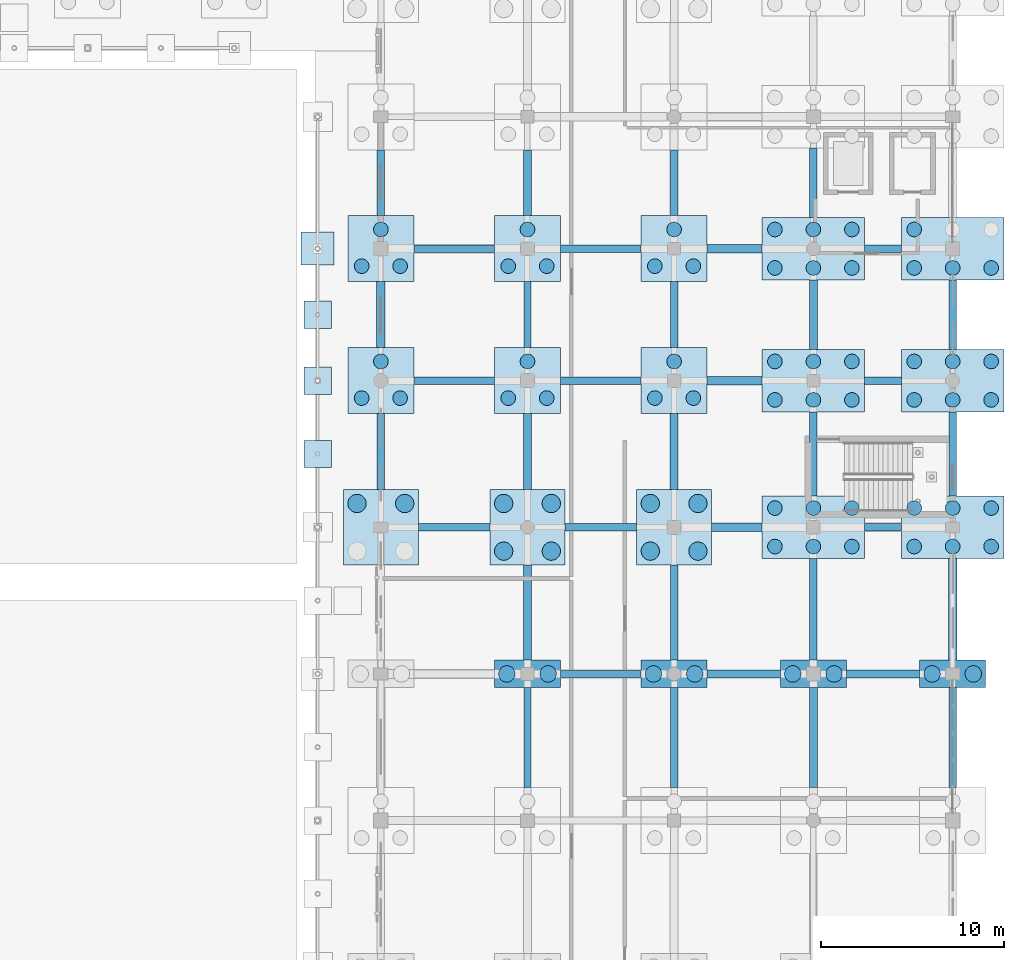
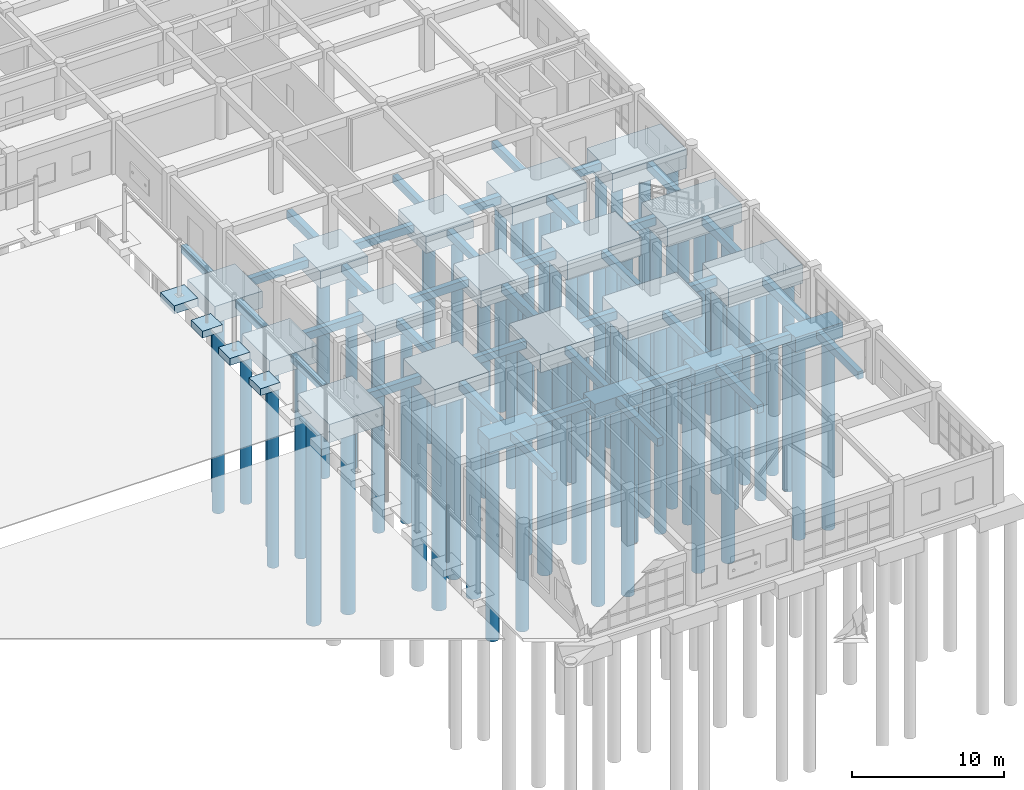
# One storey, part 7 of 166: 70 piles, 60 footings.
"""IFC4 building model written with IfcOpenShell, lengths in metres."""

from ifc_helpers import new_model, si_unit, direction, frame, origin, origin_2d, place, context, subcontext, project, spatial, rectangle, circle, extrude, material, material_profile, profile_set, type_object, element, save


model = new_model("IFC4")

# Units and contexts
model_context = context("Model", 3, precision=1e-05, world=origin(), true_north=direction((0.0, 1.0)))
body_context = subcontext(model_context, "Body", "Model", "MODEL_VIEW")
ifc_project = project(units=[si_unit("LENGTHUNIT", "METRE"), si_unit("AREAUNIT", "SQUARE_METRE"), si_unit("VOLUMEUNIT", "CUBIC_METRE"), si_unit("PLANEANGLEUNIT", "RADIAN"), si_unit("MASSUNIT", "GRAM", prefix="KILO")], contexts=[model_context])

# Site, building, storey
site_placement = place(None, origin())
site = spatial("IfcSite", under=ifc_project, at=site_placement, CompositionType="ELEMENT")
building_placement = place(site_placement, origin())
building = spatial("IfcBuilding", under=site, at=building_placement, Name="Kharva Crest Polytechnic", CompositionType="ELEMENT")
storey_placement = place(building_placement, origin())
storey = spatial("IfcBuildingStorey", under=building, at=storey_placement, Name="L00", CompositionType="ELEMENT", Elevation=0.0)

# Footings
ifc_material = material(Name="Concrete C35/45", Category="concrete")
footing_type_1 = type_object("IfcFootingType", Name="FTG-GB-400X600", PredefinedType="FOOTING_BEAM", material=ifc_material)
footing_1_placement = place(storey_placement, frame((164.800048828125, 62.800048828125, -1.005126953125), z_axis=(0.0, 0.0, 1.0), x_axis=(1.0, 0.0, 0.0)))
element("IfcFooting", 1, at=footing_1_placement, inside=storey, type_object=footing_type_1, Name="L00 Ground Tie Beam J/21-22", PredefinedType="FOOTING_BEAM", context=body_context, shape_type="SweptSolid", body=[
    extrude(rectangle(XDim=4.39990234375, YDim=0.39990234375, at=origin_2d()), origin(), (0.0, 0.0, 1.0), 0.60009765625),
])
footing_2_placement = place(storey_placement, frame((164.800048828125, 70.800048828125, -1.005126953125), z_axis=(0.0, 0.0, 1.0), x_axis=(1.0, 0.0, 0.0)))
element("IfcFooting", 2, at=footing_2_placement, inside=storey, type_object=footing_type_1, Name="L00 Ground Tie Beam K/21-22", PredefinedType="FOOTING_BEAM", context=body_context, shape_type="SweptSolid", body=[
    extrude(rectangle(XDim=3.89990234375, YDim=0.39990234375, at=origin_2d()), origin(), (0.0, 0.0, 1.0), 0.60009765625),
])
for number, where, z_axis, x_axis, name in (
    (3, (164.800048828125, 78.800048828125, -1.005126953125), (0.0, 0.0, 1.0), (1.0, 0.0, 0.0), "L00 Ground Tie Beam L/21-22"),
    (4, (164.800048828125, 86.0, -1.005126953125), (0.0, 0.0, 1.0), (1.0, 0.0, 0.0), "L00 Ground Tie Beam M/21-22"),
):
    element("IfcFooting", number, at=place(storey_placement, frame(where, z_axis=z_axis, x_axis=x_axis)), inside=storey, type_object=footing_type_1, Name=name, PredefinedType="FOOTING_BEAM", context=body_context, shape_type="SweptSolid", body=[
        extrude(rectangle(XDim=4.39990234375, YDim=0.39990234375, at=origin_2d()), origin(), (0.0, 0.0, 1.0), 0.60009765625),
    ])
footing_3_placement = place(storey_placement, frame((152.800048828125, 74.925048828125, -1.005126953125), z_axis=(0.0, 0.0, 1.0), x_axis=(0.0, 1.0, 0.0)))
element("IfcFooting", 5, at=footing_3_placement, inside=storey, type_object=footing_type_1, Name="L00 Ground Tie Beam 20/K-L", PredefinedType="FOOTING_BEAM", context=body_context, shape_type="SweptSolid", body=[
    extrude(rectangle(XDim=4.14990234375, YDim=0.39990234375, at=origin_2d()), origin(), (0.0, 0.0, 1.0), 0.60009765625),
])
footing_4_placement = place(storey_placement, frame((160.800048828125, 59.324951171875, -1.005126953125), z_axis=(0.0, 0.0, 1.0), x_axis=(0.0, 1.0, 0.0)))
element("IfcFooting", 6, at=footing_4_placement, inside=storey, type_object=footing_type_1, Name="L00 Ground Tie Beam 21/H-J", PredefinedType="FOOTING_BEAM", context=body_context, shape_type="SweptSolid", body=[
    extrude(rectangle(XDim=5.449951171875, YDim=0.39990234375, at=origin_2d()), origin(), (0.0, 0.0, 1.0), 0.60009765625),
])
footing_5_placement = place(storey_placement, frame((160.800048828125, 82.39990234375, -1.005126953125), z_axis=(0.0, 0.0, 1.0), x_axis=(0.0, 1.0, 0.0)))
element("IfcFooting", 7, at=footing_5_placement, inside=storey, type_object=footing_type_1, Name="L00 Ground Tie Beam 21/L-M", PredefinedType="FOOTING_BEAM", context=body_context, shape_type="SweptSolid", body=[
    extrude(rectangle(XDim=3.60009765625, YDim=0.39990234375, at=origin_2d()), origin(), (0.0, 0.0, 1.0), 0.60009765625),
])
footing_6_placement = place(storey_placement, frame((168.800048828125, 66.14990234375, -1.005126953125), z_axis=(0.0, 0.0, 1.0), x_axis=(0.0, 1.0, 0.0)))
element("IfcFooting", 8, at=footing_6_placement, inside=storey, type_object=footing_type_1, Name="L00 Ground Tie Beam 22/J-K", PredefinedType="FOOTING_BEAM", context=body_context, shape_type="SweptSolid", body=[
    extrude(rectangle(XDim=5.199951171875, YDim=0.39990234375, at=origin_2d()), origin(), (0.0, 0.0, 1.0), 0.60009765625),
])
footing_7_placement = place(storey_placement, frame((168.800048828125, 89.60009765625, -1.005126953125), z_axis=(0.0, 0.0, 1.0), x_axis=(0.0, 1.0, 0.0)))
element("IfcFooting", 9, at=footing_7_placement, inside=storey, type_object=footing_type_1, Name="L00 Ground Tie Beam 22/M-N", PredefinedType="FOOTING_BEAM", context=body_context, shape_type="SweptSolid", body=[
    extrude(rectangle(XDim=3.60009765625, YDim=0.39990234375, at=origin_2d()), origin(), (0.0, 0.0, 1.0), 0.60009765625),
])
footing_8_placement = place(storey_placement, frame((176.39990234375, 74.800048828125, -1.005126953125), z_axis=(0.0, 0.0, 1.0), x_axis=(0.0, 1.0, 0.0)))
element("IfcFooting", 10, at=footing_8_placement, inside=storey, type_object=footing_type_1, Name="L00 Ground Tie Beam 23/K-L", PredefinedType="FOOTING_BEAM", context=body_context, shape_type="SweptSolid", body=[
    extrude(rectangle(XDim=4.60009765625, YDim=0.39990234375, at=origin_2d()), origin(), (0.0, 0.0, 1.0), 0.60009765625),
])
footing_9_placement = place(storey_placement, frame((184.0, 59.324951171875, -1.005126953125), z_axis=(0.0, 0.0, 1.0), x_axis=(0.0, 1.0, 0.0)))
element("IfcFooting", 11, at=footing_9_placement, inside=storey, type_object=footing_type_1, Name="L00 Ground Tie Beam 24/H-J", PredefinedType="FOOTING_BEAM", context=body_context, shape_type="SweptSolid", body=[
    extrude(rectangle(XDim=5.449951171875, YDim=0.39990234375, at=origin_2d()), origin(), (0.0, 0.0, 1.0), 0.60009765625),
])
footing_10_placement = place(storey_placement, frame((184.0, 82.39990234375, -1.005126953125), z_axis=(0.0, 0.0, 1.0), x_axis=(0.0, 1.0, 0.0)))
element("IfcFooting", 12, at=footing_10_placement, inside=storey, type_object=footing_type_1, Name="L00 Ground Tie Beam 24/L-M", PredefinedType="FOOTING_BEAM", context=body_context, shape_type="SweptSolid", body=[
    extrude(rectangle(XDim=3.800048828125, YDim=0.39990234375, at=origin_2d()), origin(), (0.0, 0.0, 1.0), 0.60009765625),
])
footing_type_2 = type_object("IfcFootingType", Name="FTG-GB-420X620", PredefinedType="FOOTING_BEAM", material=ifc_material)
footing_11_placement = place(storey_placement, frame((180.199951171875, 62.800048828125, -1.025146484375), z_axis=(0.0, 0.0, 1.0), x_axis=(1.0, 0.0, 0.0)))
element("IfcFooting", 13, at=footing_11_placement, inside=storey, type_object=footing_type_2, Name="L00 Ground Tie Beam J/23-24", PredefinedType="FOOTING_BEAM", context=body_context, shape_type="SweptSolid", body=[
    extrude(rectangle(XDim=4.0, YDim=0.419921875, at=origin_2d()), origin(), (0.0, 0.0, 1.0), 0.6201171875),
])
footing_12_placement = place(storey_placement, frame((156.800048828125, 70.800048828125, -1.025146484375), z_axis=(0.0, 0.0, 1.0), x_axis=(1.0, 0.0, 0.0)))
element("IfcFooting", 14, at=footing_12_placement, inside=storey, type_object=footing_type_2, Name="L00 Ground Tie Beam K/20-21", PredefinedType="FOOTING_BEAM", context=body_context, shape_type="SweptSolid", body=[
    extrude(rectangle(XDim=3.89990234375, YDim=0.419921875, at=origin_2d()), origin(), (0.0, 0.0, 1.0), 0.6201171875),
])
footing_13_placement = place(storey_placement, frame((180.199951171875, 70.800048828125, -1.025146484375), z_axis=(0.0, 0.0, 1.0), x_axis=(1.0, 0.0, 0.0)))
element("IfcFooting", 15, at=footing_13_placement, inside=storey, type_object=footing_type_2, Name="L00 Ground Tie Beam K/23-24", PredefinedType="FOOTING_BEAM", context=body_context, shape_type="SweptSolid", body=[
    extrude(rectangle(XDim=2.0, YDim=0.419921875, at=origin_2d()), origin(), (0.0, 0.0, 1.0), 0.6201171875),
])
footing_14_placement = place(storey_placement, frame((156.800048828125, 78.800048828125, -1.025146484375), z_axis=(0.0, 0.0, 1.0), x_axis=(1.0, 0.0, 0.0)))
element("IfcFooting", 16, at=footing_14_placement, inside=storey, type_object=footing_type_2, Name="L00 Ground Tie Beam L/20-21", PredefinedType="FOOTING_BEAM", context=body_context, shape_type="SweptSolid", body=[
    extrude(rectangle(XDim=4.39990234375, YDim=0.419921875, at=origin_2d()), origin(), (0.0, 0.0, 1.0), 0.6201171875),
])
footing_15_placement = place(storey_placement, frame((180.199951171875, 78.800048828125, -1.025146484375), z_axis=(0.0, 0.0, 1.0), x_axis=(1.0, 0.0, 0.0)))
element("IfcFooting", 17, at=footing_15_placement, inside=storey, type_object=footing_type_2, Name="L00 Ground Tie Beam L/23-24", PredefinedType="FOOTING_BEAM", context=body_context, shape_type="SweptSolid", body=[
    extrude(rectangle(XDim=2.0, YDim=0.419921875, at=origin_2d()), origin(), (0.0, 0.0, 1.0), 0.6201171875),
])
footing_16_placement = place(storey_placement, frame((156.800048828125, 86.0, -1.025146484375), z_axis=(0.0, 0.0, 1.0), x_axis=(1.0, 0.0, 0.0)))
element("IfcFooting", 18, at=footing_16_placement, inside=storey, type_object=footing_type_2, Name="L00 Ground Tie Beam M/20-21", PredefinedType="FOOTING_BEAM", context=body_context, shape_type="SweptSolid", body=[
    extrude(rectangle(XDim=4.39990234375, YDim=0.419921875, at=origin_2d()), origin(), (0.0, 0.0, 1.0), 0.6201171875),
])
footing_17_placement = place(storey_placement, frame((180.199951171875, 86.0, -1.025146484375), z_axis=(0.0, 0.0, 1.0), x_axis=(1.0, 0.0, 0.0)))
element("IfcFooting", 19, at=footing_17_placement, inside=storey, type_object=footing_type_2, Name="L00 Ground Tie Beam M/23-24", PredefinedType="FOOTING_BEAM", context=body_context, shape_type="SweptSolid", body=[
    extrude(rectangle(XDim=2.0, YDim=0.419921875, at=origin_2d()), origin(), (0.0, 0.0, 1.0), 0.6201171875),
])
footing_18_placement = place(storey_placement, frame((152.800048828125, 89.60009765625, -1.025146484375), z_axis=(0.0, 0.0, 1.0), x_axis=(0.0, 1.0, 0.0)))
element("IfcFooting", 20, at=footing_18_placement, inside=storey, type_object=footing_type_2, Name="L00 Ground Tie Beam 20/M-N", PredefinedType="FOOTING_BEAM", context=body_context, shape_type="SweptSolid", body=[
    extrude(rectangle(XDim=3.60009765625, YDim=0.419921875, at=origin_2d()), origin(), (0.0, 0.0, 1.0), 0.6201171875),
])
footing_19_placement = place(storey_placement, frame((160.800048828125, 74.925048828125, -1.025146484375), z_axis=(0.0, 0.0, 1.0), x_axis=(0.0, 1.0, 0.0)))
element("IfcFooting", 21, at=footing_19_placement, inside=storey, type_object=footing_type_2, Name="L00 Ground Tie Beam 21/K-L", PredefinedType="FOOTING_BEAM", context=body_context, shape_type="SweptSolid", body=[
    extrude(rectangle(XDim=4.14990234375, YDim=0.419921875, at=origin_2d()), origin(), (0.0, 0.0, 1.0), 0.6201171875),
])
footing_20_placement = place(storey_placement, frame((168.800048828125, 59.324951171875, -1.025146484375), z_axis=(0.0, 0.0, 1.0), x_axis=(0.0, 1.0, 0.0)))
element("IfcFooting", 22, at=footing_20_placement, inside=storey, type_object=footing_type_2, Name="L00 Ground Tie Beam 22/H-J", PredefinedType="FOOTING_BEAM", context=body_context, shape_type="SweptSolid", body=[
    extrude(rectangle(XDim=5.449951171875, YDim=0.419921875, at=origin_2d()), origin(), (0.0, 0.0, 1.0), 0.6201171875),
])
footing_21_placement = place(storey_placement, frame((168.800048828125, 82.39990234375, -1.025146484375), z_axis=(0.0, 0.0, 1.0), x_axis=(0.0, 1.0, 0.0)))
element("IfcFooting", 23, at=footing_21_placement, inside=storey, type_object=footing_type_2, Name="L00 Ground Tie Beam 22/L-M", PredefinedType="FOOTING_BEAM", context=body_context, shape_type="SweptSolid", body=[
    extrude(rectangle(XDim=3.60009765625, YDim=0.419921875, at=origin_2d()), origin(), (0.0, 0.0, 1.0), 0.6201171875),
])
footing_22_placement = place(storey_placement, frame((176.39990234375, 66.324951171875, -1.025146484375), z_axis=(0.0, 0.0, 1.0), x_axis=(0.0, 1.0, 0.0)))
element("IfcFooting", 24, at=footing_22_placement, inside=storey, type_object=footing_type_2, Name="L00 Ground Tie Beam 23/J-K", PredefinedType="FOOTING_BEAM", context=body_context, shape_type="SweptSolid", body=[
    extrude(rectangle(XDim=5.550048828125, YDim=0.419921875, at=origin_2d()), origin(), (0.0, 0.0, 1.0), 0.6201171875),
])
footing_23_placement = place(storey_placement, frame((176.39990234375, 89.60009765625, -1.025146484375), z_axis=(0.0, 0.0, 1.0), x_axis=(0.0, 1.0, 0.0)))
element("IfcFooting", 25, at=footing_23_placement, inside=storey, type_object=footing_type_2, Name="L00 Ground Tie Beam 23/M-N", PredefinedType="FOOTING_BEAM", context=body_context, shape_type="SweptSolid", body=[
    extrude(rectangle(XDim=3.800048828125, YDim=0.419921875, at=origin_2d()), origin(), (0.0, 0.0, 1.0), 0.6201171875),
])
footing_24_placement = place(storey_placement, frame((184.0, 74.800048828125, -1.025146484375), z_axis=(0.0, 0.0, 1.0), x_axis=(0.0, 1.0, 0.0)))
element("IfcFooting", 26, at=footing_24_placement, inside=storey, type_object=footing_type_2, Name="L00 Ground Tie Beam 24/K-L", PredefinedType="FOOTING_BEAM", context=body_context, shape_type="SweptSolid", body=[
    extrude(rectangle(XDim=4.60009765625, YDim=0.419921875, at=origin_2d()), origin(), (0.0, 0.0, 1.0), 0.6201171875),
])
footing_type_3 = type_object("IfcFootingType", Name="FTG-GB-450X650", PredefinedType="FOOTING_BEAM", material=ifc_material)
footing_25_placement = place(storey_placement, frame((172.60009765625, 62.800048828125, -1.054931640625), z_axis=(0.0, 0.0, 1.0), x_axis=(1.0, 0.0, 0.0)))
element("IfcFooting", 27, at=footing_25_placement, inside=storey, type_object=footing_type_3, Name="L00 Ground Tie Beam J/22-23", PredefinedType="FOOTING_BEAM", context=body_context, shape_type="SweptSolid", body=[
    extrude(rectangle(XDim=4.0, YDim=0.449951171875, at=origin_2d()), origin(), (0.0, 0.0, 1.0), 0.64990234375),
])
footing_26_placement = place(storey_placement, frame((172.22509765625, 70.800048828125, -1.054931640625), z_axis=(0.0, 0.0, 1.0), x_axis=(1.0, 0.0, 0.0)))
element("IfcFooting", 28, at=footing_26_placement, inside=storey, type_object=footing_type_3, Name="L00 Ground Tie Beam K/22-23", PredefinedType="FOOTING_BEAM", context=body_context, shape_type="SweptSolid", body=[
    extrude(rectangle(XDim=2.75, YDim=0.449951171875, at=origin_2d()), origin(), (0.0, 0.0, 1.0), 0.64990234375),
])
for number, where, z_axis, x_axis, name in (
    (29, (172.10009765625, 78.800048828125, -1.054931640625), (0.0, 0.0, 1.0), (1.0, 0.0, 0.0), "L00 Ground Tie Beam L/22-23"),
    (30, (172.10009765625, 86.0, -1.054931640625), (0.0, 0.0, 1.0), (1.0, 0.0, 0.0), "L00 Ground Tie Beam M/22-23"),
):
    element("IfcFooting", number, at=place(storey_placement, frame(where, z_axis=z_axis, x_axis=x_axis)), inside=storey, type_object=footing_type_3, Name=name, PredefinedType="FOOTING_BEAM", context=body_context, shape_type="SweptSolid", body=[
        extrude(rectangle(XDim=3.0, YDim=0.449951171875, at=origin_2d()), origin(), (0.0, 0.0, 1.0), 0.64990234375),
    ])
footing_27_placement = place(storey_placement, frame((152.800048828125, 82.39990234375, -1.054931640625), z_axis=(0.0, 0.0, 1.0), x_axis=(0.0, 1.0, 0.0)))
element("IfcFooting", 31, at=footing_27_placement, inside=storey, type_object=footing_type_3, Name="L00 Ground Tie Beam 20/L-M", PredefinedType="FOOTING_BEAM", context=body_context, shape_type="SweptSolid", body=[
    extrude(rectangle(XDim=3.60009765625, YDim=0.449951171875, at=origin_2d()), origin(), (0.0, 0.0, 1.0), 0.64990234375),
])
footing_28_placement = place(storey_placement, frame((160.800048828125, 66.14990234375, -1.054931640625), z_axis=(0.0, 0.0, 1.0), x_axis=(0.0, 1.0, 0.0)))
element("IfcFooting", 32, at=footing_28_placement, inside=storey, type_object=footing_type_3, Name="L00 Ground Tie Beam 21/J-K", PredefinedType="FOOTING_BEAM", context=body_context, shape_type="SweptSolid", body=[
    extrude(rectangle(XDim=5.199951171875, YDim=0.449951171875, at=origin_2d()), origin(), (0.0, 0.0, 1.0), 0.64990234375),
])
footing_29_placement = place(storey_placement, frame((160.800048828125, 89.60009765625, -1.054931640625), z_axis=(0.0, 0.0, 1.0), x_axis=(0.0, 1.0, 0.0)))
element("IfcFooting", 33, at=footing_29_placement, inside=storey, type_object=footing_type_3, Name="L00 Ground Tie Beam 21/M-N", PredefinedType="FOOTING_BEAM", context=body_context, shape_type="SweptSolid", body=[
    extrude(rectangle(XDim=3.60009765625, YDim=0.449951171875, at=origin_2d()), origin(), (0.0, 0.0, 1.0), 0.64990234375),
])
footing_30_placement = place(storey_placement, frame((168.800048828125, 74.925048828125, -1.054931640625), z_axis=(0.0, 0.0, 1.0), x_axis=(0.0, 1.0, 0.0)))
element("IfcFooting", 34, at=footing_30_placement, inside=storey, type_object=footing_type_3, Name="L00 Ground Tie Beam 22/K-L", PredefinedType="FOOTING_BEAM", context=body_context, shape_type="SweptSolid", body=[
    extrude(rectangle(XDim=4.14990234375, YDim=0.449951171875, at=origin_2d()), origin(), (0.0, 0.0, 1.0), 0.64990234375),
])
footing_31_placement = place(storey_placement, frame((176.39990234375, 59.324951171875, -1.054931640625), z_axis=(0.0, 0.0, 1.0), x_axis=(0.0, 1.0, 0.0)))
element("IfcFooting", 35, at=footing_31_placement, inside=storey, type_object=footing_type_3, Name="L00 Ground Tie Beam 23/H-J", PredefinedType="FOOTING_BEAM", context=body_context, shape_type="SweptSolid", body=[
    extrude(rectangle(XDim=5.449951171875, YDim=0.449951171875, at=origin_2d()), origin(), (0.0, 0.0, 1.0), 0.64990234375),
])
footing_32_placement = place(storey_placement, frame((176.39990234375, 82.39990234375, -1.054931640625), z_axis=(0.0, 0.0, 1.0), x_axis=(0.0, 1.0, 0.0)))
element("IfcFooting", 36, at=footing_32_placement, inside=storey, type_object=footing_type_3, Name="L00 Ground Tie Beam 23/L-M", PredefinedType="FOOTING_BEAM", context=body_context, shape_type="SweptSolid", body=[
    extrude(rectangle(XDim=3.800048828125, YDim=0.449951171875, at=origin_2d()), origin(), (0.0, 0.0, 1.0), 0.64990234375),
])
footing_33_placement = place(storey_placement, frame((184.0, 66.324951171875, -1.054931640625), z_axis=(0.0, 0.0, 1.0), x_axis=(0.0, 1.0, 0.0)))
element("IfcFooting", 37, at=footing_33_placement, inside=storey, type_object=footing_type_3, Name="L00 Ground Tie Beam 24/J-K", PredefinedType="FOOTING_BEAM", context=body_context, shape_type="SweptSolid", body=[
    extrude(rectangle(XDim=5.550048828125, YDim=0.449951171875, at=origin_2d()), origin(), (0.0, 0.0, 1.0), 0.64990234375),
])
footing_type_4 = type_object("IfcFootingType", Name="FTG-PAD-1500X1500", PredefinedType="PAD_FOOTING", material=ifc_material)
for number, where, z_axis, x_axis, name in (
    (38, (149.35009765625, 78.800048828125, -0.5498046875), (0.0, 0.0, 1.0), (1.0, 0.0, 0.0), "L00 Colonnade Pad Footing VE05"),
    (39, (149.35009765625, 74.800048828125, -0.5498046875), (0.0, 0.0, 1.0), (1.0, 0.0, 0.0), "L00 Colonnade Mid Pad Footing VEM04"),
    (40, (149.35009765625, 82.39990234375, -0.5498046875), (0.0, 0.0, 1.0), (1.0, 0.0, 0.0), "L00 Colonnade Mid Pad Footing VEM05"),
):
    element("IfcFooting", number, at=place(storey_placement, frame(where, z_axis=z_axis, x_axis=x_axis)), inside=storey, type_object=footing_type_4, Name=name, PredefinedType="PAD_FOOTING", context=body_context, shape_type="SweptSolid", body=[
        extrude(rectangle(XDim=1.5, YDim=1.5, at=origin_2d()), origin(), (0.0, 0.0, 1.0), 0.550048828125),
    ])
footing_type_5 = type_object("IfcFootingType", Name="FTG-PAD-1800X1800", PredefinedType="PAD_FOOTING", material=ifc_material)
footing_34_placement = place(storey_placement, frame((149.35009765625, 86.0, -0.64990234375), z_axis=(0.0, 0.0, 1.0), x_axis=(1.0, 0.0, 0.0)))
element("IfcFooting", 41, at=footing_34_placement, inside=storey, type_object=footing_type_5, Name="L00 Colonnade Pad Footing VE06", PredefinedType="PAD_FOOTING", context=body_context, shape_type="SweptSolid", body=[
    extrude(rectangle(XDim=1.800048828125, YDim=1.800048828125, at=origin_2d()), origin(), (0.0, 0.0, 1.0), 0.64990234375),
])
footing_type_6 = type_object("IfcFootingType", Name="FTG-PC-3600X1500", PredefinedType="PILE_CAP", material=ifc_material)
for number, where, z_axis, x_axis, name in (
    (42, (160.800048828125, 62.800048828125, -1.60498046875), (0.0, 0.0, 1.0), (1.0, 0.0, 0.0), "L00 Pile Cap 21/J"),
    (43, (168.800048828125, 62.800048828125, -1.60498046875), (0.0, 0.0, 1.0), (1.0, 0.0, 0.0), "L00 Pile Cap 22/J"),
    (44, (176.39990234375, 62.800048828125, -1.60498046875), (0.0, 0.0, 1.0), (1.0, 0.0, 0.0), "L00 Pile Cap 23/J"),
    (45, (184.0, 62.800048828125, -1.60498046875), (0.0, 0.0, 1.0), (1.0, 0.0, 0.0), "L00 Pile Cap 24/J"),
):
    element("IfcFooting", number, at=place(storey_placement, frame(where, z_axis=z_axis, x_axis=x_axis)), inside=storey, type_object=footing_type_6, Name=name, PredefinedType="PILE_CAP", context=body_context, shape_type="SweptSolid", body=[
        extrude(rectangle(XDim=3.60009765625, YDim=1.5, at=origin_2d()), origin(), (0.0, 0.0, 1.0), 1.199951171875),
    ])
footing_type_7 = type_object("IfcFootingType", Name="FTG-PC-3600X3600", PredefinedType="PILE_CAP", material=ifc_material)
for number, where, z_axis, x_axis, name in (
    (46, (152.800048828125, 78.800048828125, -1.755126953125), (0.0, 0.0, 1.0), (1.0, 0.0, 0.0), "L00 Pile Cap 20/L"),
    (47, (152.800048828125, 86.0, -1.755126953125), (0.0, 0.0, 1.0), (1.0, 0.0, 0.0), "L00 Pile Cap 20/M"),
    (48, (160.800048828125, 78.800048828125, -1.755126953125), (0.0, 0.0, 1.0), (1.0, 0.0, 0.0), "L00 Pile Cap 21/L"),
    (49, (160.800048828125, 86.0, -1.755126953125), (0.0, 0.0, 1.0), (1.0, 0.0, 0.0), "L00 Pile Cap 21/M"),
    (50, (168.800048828125, 78.800048828125, -1.755126953125), (0.0, 0.0, 1.0), (1.0, 0.0, 0.0), "L00 Pile Cap 22/L"),
    (51, (168.800048828125, 86.0, -1.755126953125), (0.0, 0.0, 1.0), (1.0, 0.0, 0.0), "L00 Pile Cap 22/M"),
):
    element("IfcFooting", number, at=place(storey_placement, frame(where, z_axis=z_axis, x_axis=x_axis)), inside=storey, type_object=footing_type_7, Name=name, PredefinedType="PILE_CAP", context=body_context, shape_type="SweptSolid", body=[
        extrude(rectangle(XDim=3.60009765625, YDim=3.60009765625, at=origin_2d()), origin(), (0.0, 0.0, 1.0), 1.35009765625),
    ])
footing_type_8 = type_object("IfcFootingType", Name="FTG-PC-4100X4100", PredefinedType="PILE_CAP", material=ifc_material)
for number, where, z_axis, x_axis, name in (
    (52, (152.800048828125, 70.800048828125, -1.85498046875), (0.0, 0.0, 1.0), (1.0, 0.0, 0.0), "L00 Pile Cap 20/K"),
    (53, (160.800048828125, 70.800048828125, -1.85498046875), (0.0, 0.0, 1.0), (1.0, 0.0, 0.0), "L00 Pile Cap 21/K"),
    (54, (168.800048828125, 70.800048828125, -1.85498046875), (0.0, 0.0, 1.0), (1.0, 0.0, 0.0), "L00 Pile Cap 22/K"),
):
    element("IfcFooting", number, at=place(storey_placement, frame(where, z_axis=z_axis, x_axis=x_axis)), inside=storey, type_object=footing_type_8, Name=name, PredefinedType="PILE_CAP", context=body_context, shape_type="SweptSolid", body=[
        extrude(rectangle(XDim=4.10009765625, YDim=4.10009765625, at=origin_2d()), origin(), (0.0, 0.0, 1.0), 1.449951171875),
    ])
footing_type_9 = type_object("IfcFootingType", Name="FTG-PC-5600X3400", PredefinedType="PILE_CAP", material=ifc_material)
for number, where, z_axis, x_axis, name in (
    (55, (176.39990234375, 70.800048828125, -1.905029296875), (0.0, 0.0, 1.0), (1.0, 0.0, 0.0), "L00 Pile Cap 23/K"),
    (56, (176.39990234375, 78.800048828125, -1.905029296875), (0.0, 0.0, 1.0), (1.0, 0.0, 0.0), "L00 Pile Cap 23/L"),
    (57, (176.39990234375, 86.0, -1.905029296875), (0.0, 0.0, 1.0), (1.0, 0.0, 0.0), "L00 Pile Cap 23/M"),
    (58, (184.0, 70.800048828125, -1.905029296875), (0.0, 0.0, 1.0), (1.0, 0.0, 0.0), "L00 Pile Cap 24/K"),
    (59, (184.0, 78.800048828125, -1.905029296875), (0.0, 0.0, 1.0), (1.0, 0.0, 0.0), "L00 Pile Cap 24/L"),
    (60, (184.0, 86.0, -1.905029296875), (0.0, 0.0, 1.0), (1.0, 0.0, 0.0), "L00 Pile Cap 24/M"),
):
    element("IfcFooting", number, at=place(storey_placement, frame(where, z_axis=z_axis, x_axis=x_axis)), inside=storey, type_object=footing_type_9, Name=name, PredefinedType="PILE_CAP", context=body_context, shape_type="SweptSolid", body=[
        extrude(rectangle(XDim=5.60009765625, YDim=3.39990234375, at=origin_2d()), origin(), (0.0, 0.0, 1.0), 1.5),
    ])

# Piles
ifc_material_profile_1 = material_profile(ifc_material, circle(Radius=0.5, at=origin_2d()), Name="DIA 1000")
ifc_profile_set_1 = profile_set([ifc_material_profile_1], Name="Concrete C35/45")
pile_type_1 = type_object("IfcPileType", Name="PILE-BORED-1000", PredefinedType="BORED", material=ifc_profile_set_1)
for number, where, z_axis, x_axis, name in (
    (61, (151.5, 72.10009765625, -1.7548828125), (0.0, 0.0, -1.0), (1.0, 0.0, 0.0), "L00 Bored Pile 20/K-3"),
    (62, (154.10009765625, 72.10009765625, -1.7548828125), (0.0, 0.0, -1.0), (1.0, 0.0, 0.0), "L00 Bored Pile 20/K-4"),
    (63, (159.5, 69.5, -1.7548828125), (0.0, 0.0, -1.0), (1.0, 0.0, 0.0), "L00 Bored Pile 21/K-1"),
    (64, (162.10009765625, 69.5, -1.7548828125), (0.0, 0.0, -1.0), (1.0, 0.0, 0.0), "L00 Bored Pile 21/K-2"),
    (65, (159.5, 72.10009765625, -1.7548828125), (0.0, 0.0, -1.0), (1.0, 0.0, 0.0), "L00 Bored Pile 21/K-3"),
    (66, (162.10009765625, 72.10009765625, -1.7548828125), (0.0, 0.0, -1.0), (1.0, 0.0, 0.0), "L00 Bored Pile 21/K-4"),
    (67, (167.5, 69.5, -1.7548828125), (0.0, 0.0, -1.0), (1.0, 0.0, 0.0), "L00 Bored Pile 22/K-1"),
    (68, (170.10009765625, 69.5, -1.7548828125), (0.0, 0.0, -1.0), (1.0, 0.0, 0.0), "L00 Bored Pile 22/K-2"),
    (69, (167.5, 72.10009765625, -1.7548828125), (0.0, 0.0, -1.0), (1.0, 0.0, 0.0), "L00 Bored Pile 22/K-3"),
    (70, (170.10009765625, 72.10009765625, -1.7548828125), (0.0, 0.0, -1.0), (1.0, 0.0, 0.0), "L00 Bored Pile 22/K-4"),
):
    element("IfcPile", number, at=place(storey_placement, frame(where, z_axis=z_axis, x_axis=x_axis)), inside=storey, type_object=pile_type_1, Name=name, PredefinedType="BORED", context=body_context, shape_type="SweptSolid", body=[
        extrude(circle(Radius=0.5, at=origin_2d()), origin(), (0.0, 0.0, 1.0), 16.7451171875),
    ])
ifc_material_profile_2 = material_profile(ifc_material, circle(Radius=0.39990234375, at=origin_2d()), Name="DIA 800")
ifc_profile_set_2 = profile_set([ifc_material_profile_2], Name="Concrete C35/45")
pile_type_2 = type_object("IfcPileType", Name="PILE-BORED-800", PredefinedType="BORED", material=ifc_profile_set_2)
for number, where, z_axis, x_axis, name in (
    (71, (151.75, 77.85009765625, -1.655029296875), (0.0, 0.0, -1.0), (1.0, 0.0, 0.0), "L00 Bored Pile 20/L-1"),
    (72, (153.85009765625, 77.85009765625, -1.655029296875), (0.0, 0.0, -1.0), (1.0, 0.0, 0.0), "L00 Bored Pile 20/L-2"),
    (73, (152.800048828125, 79.85009765625, -1.655029296875), (0.0, 0.0, -1.0), (1.0, 0.0, 0.0), "L00 Bored Pile 20/L-3"),
    (74, (151.75, 85.050048828125, -1.655029296875), (0.0, 0.0, -1.0), (1.0, 0.0, 0.0), "L00 Bored Pile 20/M-1"),
    (75, (153.85009765625, 85.050048828125, -1.655029296875), (0.0, 0.0, -1.0), (1.0, 0.0, 0.0), "L00 Bored Pile 20/M-2"),
    (76, (152.800048828125, 87.050048828125, -1.655029296875), (0.0, 0.0, -1.0), (1.0, 0.0, 0.0), "L00 Bored Pile 20/M-3"),
    (77, (159.75, 77.85009765625, -1.655029296875), (0.0, 0.0, -1.0), (1.0, 0.0, 0.0), "L00 Bored Pile 21/L-1"),
    (78, (161.85009765625, 77.85009765625, -1.655029296875), (0.0, 0.0, -1.0), (1.0, 0.0, 0.0), "L00 Bored Pile 21/L-2"),
    (79, (160.800048828125, 79.85009765625, -1.655029296875), (0.0, 0.0, -1.0), (1.0, 0.0, 0.0), "L00 Bored Pile 21/L-3"),
    (80, (159.75, 85.050048828125, -1.655029296875), (0.0, 0.0, -1.0), (1.0, 0.0, 0.0), "L00 Bored Pile 21/M-1"),
    (81, (161.85009765625, 85.050048828125, -1.655029296875), (0.0, 0.0, -1.0), (1.0, 0.0, 0.0), "L00 Bored Pile 21/M-2"),
    (82, (160.800048828125, 87.050048828125, -1.655029296875), (0.0, 0.0, -1.0), (1.0, 0.0, 0.0), "L00 Bored Pile 21/M-3"),
    (83, (167.75, 77.85009765625, -1.655029296875), (0.0, 0.0, -1.0), (1.0, 0.0, 0.0), "L00 Bored Pile 22/L-1"),
    (84, (169.85009765625, 77.85009765625, -1.655029296875), (0.0, 0.0, -1.0), (1.0, 0.0, 0.0), "L00 Bored Pile 22/L-2"),
    (85, (168.800048828125, 79.85009765625, -1.655029296875), (0.0, 0.0, -1.0), (1.0, 0.0, 0.0), "L00 Bored Pile 22/L-3"),
    (86, (167.75, 85.050048828125, -1.655029296875), (0.0, 0.0, -1.0), (1.0, 0.0, 0.0), "L00 Bored Pile 22/M-1"),
    (87, (169.85009765625, 85.050048828125, -1.655029296875), (0.0, 0.0, -1.0), (1.0, 0.0, 0.0), "L00 Bored Pile 22/M-2"),
    (88, (168.800048828125, 87.050048828125, -1.655029296875), (0.0, 0.0, -1.0), (1.0, 0.0, 0.0), "L00 Bored Pile 22/M-3"),
):
    element("IfcPile", number, at=place(storey_placement, frame(where, z_axis=z_axis, x_axis=x_axis)), inside=storey, type_object=pile_type_2, Name=name, PredefinedType="BORED", context=body_context, shape_type="SweptSolid", body=[
        extrude(circle(Radius=0.39990234375, at=origin_2d()), origin(), (0.0, 0.0, 1.0), 15.844970703125),
    ])
for number, where, z_axis, x_axis, name in (
    (89, (174.300048828125, 69.75, -1.804931640625), (0.0, 0.0, -1.0), (1.0, 0.0, 0.0), "L00 Bored Pile 23/K-1"),
    (90, (176.39990234375, 69.75, -1.804931640625), (0.0, 0.0, -1.0), (1.0, 0.0, 0.0), "L00 Bored Pile 23/K-2"),
    (91, (178.5, 69.75, -1.804931640625), (0.0, 0.0, -1.0), (1.0, 0.0, 0.0), "L00 Bored Pile 23/K-3"),
    (92, (174.300048828125, 71.85009765625, -1.804931640625), (0.0, 0.0, -1.0), (1.0, 0.0, 0.0), "L00 Bored Pile 23/K-4"),
    (93, (176.39990234375, 71.85009765625, -1.804931640625), (0.0, 0.0, -1.0), (1.0, 0.0, 0.0), "L00 Bored Pile 23/K-5"),
    (94, (178.5, 71.85009765625, -1.804931640625), (0.0, 0.0, -1.0), (1.0, 0.0, 0.0), "L00 Bored Pile 23/K-6"),
    (95, (174.300048828125, 77.75, -1.804931640625), (0.0, 0.0, -1.0), (1.0, 0.0, 0.0), "L00 Bored Pile 23/L-1"),
    (96, (176.39990234375, 77.75, -1.804931640625), (0.0, 0.0, -1.0), (1.0, 0.0, 0.0), "L00 Bored Pile 23/L-2"),
    (97, (178.5, 77.75, -1.804931640625), (0.0, 0.0, -1.0), (1.0, 0.0, 0.0), "L00 Bored Pile 23/L-3"),
    (98, (174.300048828125, 79.85009765625, -1.804931640625), (0.0, 0.0, -1.0), (1.0, 0.0, 0.0), "L00 Bored Pile 23/L-4"),
    (99, (176.39990234375, 79.85009765625, -1.804931640625), (0.0, 0.0, -1.0), (1.0, 0.0, 0.0), "L00 Bored Pile 23/L-5"),
    (100, (178.5, 79.85009765625, -1.804931640625), (0.0, 0.0, -1.0), (1.0, 0.0, 0.0), "L00 Bored Pile 23/L-6"),
    (101, (174.300048828125, 84.949951171875, -1.804931640625), (0.0, 0.0, -1.0), (1.0, 0.0, 0.0), "L00 Bored Pile 23/M-1"),
    (102, (176.39990234375, 84.949951171875, -1.804931640625), (0.0, 0.0, -1.0), (1.0, 0.0, 0.0), "L00 Bored Pile 23/M-2"),
    (103, (178.5, 84.949951171875, -1.804931640625), (0.0, 0.0, -1.0), (1.0, 0.0, 0.0), "L00 Bored Pile 23/M-3"),
    (104, (174.300048828125, 87.050048828125, -1.804931640625), (0.0, 0.0, -1.0), (1.0, 0.0, 0.0), "L00 Bored Pile 23/M-4"),
    (105, (176.39990234375, 87.050048828125, -1.804931640625), (0.0, 0.0, -1.0), (1.0, 0.0, 0.0), "L00 Bored Pile 23/M-5"),
    (106, (178.5, 87.050048828125, -1.804931640625), (0.0, 0.0, -1.0), (1.0, 0.0, 0.0), "L00 Bored Pile 23/M-6"),
    (107, (181.89990234375, 69.75, -1.804931640625), (0.0, 0.0, -1.0), (1.0, 0.0, 0.0), "L00 Bored Pile 24/K-1"),
    (108, (184.0, 69.75, -1.804931640625), (0.0, 0.0, -1.0), (1.0, 0.0, 0.0), "L00 Bored Pile 24/K-2"),
    (109, (186.10009765625, 69.75, -1.804931640625), (0.0, 0.0, -1.0), (1.0, 0.0, 0.0), "L00 Bored Pile 24/K-3"),
    (110, (181.89990234375, 71.85009765625, -1.804931640625), (0.0, 0.0, -1.0), (1.0, 0.0, 0.0), "L00 Bored Pile 24/K-4"),
    (111, (184.0, 71.85009765625, -1.804931640625), (0.0, 0.0, -1.0), (1.0, 0.0, 0.0), "L00 Bored Pile 24/K-5"),
    (112, (186.10009765625, 71.85009765625, -1.804931640625), (0.0, 0.0, -1.0), (1.0, 0.0, 0.0), "L00 Bored Pile 24/K-6"),
    (113, (181.89990234375, 77.75, -1.804931640625), (0.0, 0.0, -1.0), (1.0, 0.0, 0.0), "L00 Bored Pile 24/L-1"),
    (114, (184.0, 77.75, -1.804931640625), (0.0, 0.0, -1.0), (1.0, 0.0, 0.0), "L00 Bored Pile 24/L-2"),
    (115, (186.10009765625, 77.75, -1.804931640625), (0.0, 0.0, -1.0), (1.0, 0.0, 0.0), "L00 Bored Pile 24/L-3"),
    (116, (181.89990234375, 79.85009765625, -1.804931640625), (0.0, 0.0, -1.0), (1.0, 0.0, 0.0), "L00 Bored Pile 24/L-4"),
    (117, (184.0, 79.85009765625, -1.804931640625), (0.0, 0.0, -1.0), (1.0, 0.0, 0.0), "L00 Bored Pile 24/L-5"),
    (118, (186.10009765625, 79.85009765625, -1.804931640625), (0.0, 0.0, -1.0), (1.0, 0.0, 0.0), "L00 Bored Pile 24/L-6"),
    (119, (181.89990234375, 84.949951171875, -1.804931640625), (0.0, 0.0, -1.0), (1.0, 0.0, 0.0), "L00 Bored Pile 24/M-1"),
    (120, (184.0, 84.949951171875, -1.804931640625), (0.0, 0.0, -1.0), (1.0, 0.0, 0.0), "L00 Bored Pile 24/M-2"),
    (121, (186.10009765625, 84.949951171875, -1.804931640625), (0.0, 0.0, -1.0), (1.0, 0.0, 0.0), "L00 Bored Pile 24/M-3"),
    (122, (181.89990234375, 87.050048828125, -1.804931640625), (0.0, 0.0, -1.0), (1.0, 0.0, 0.0), "L00 Bored Pile 24/M-4"),
):
    element("IfcPile", number, at=place(storey_placement, frame(where, z_axis=z_axis, x_axis=x_axis)), inside=storey, type_object=pile_type_2, Name=name, PredefinedType="BORED", context=body_context, shape_type="SweptSolid", body=[
        extrude(circle(Radius=0.39990234375, at=origin_2d()), origin(), (0.0, 0.0, 1.0), 16.695068359375),
    ])
ifc_material_profile_3 = material_profile(ifc_material, circle(Radius=0.449951171875, at=origin_2d()), Name="DIA 900")
ifc_profile_set_3 = profile_set([ifc_material_profile_3], Name="Concrete C35/45")
pile_type_3 = type_object("IfcPileType", Name="PILE-BORED-900", PredefinedType="BORED", material=ifc_profile_set_3)
for number, where, z_axis, x_axis, name in (
    (123, (159.675048828125, 62.800048828125, -1.5048828125), (0.0, 0.0, -1.0), (1.0, 0.0, 0.0), "L00 Bored Pile 21/J-1"),
    (124, (161.925048828125, 62.800048828125, -1.5048828125), (0.0, 0.0, -1.0), (1.0, 0.0, 0.0), "L00 Bored Pile 21/J-2"),
    (125, (167.675048828125, 62.800048828125, -1.5048828125), (0.0, 0.0, -1.0), (1.0, 0.0, 0.0), "L00 Bored Pile 22/J-1"),
    (126, (169.925048828125, 62.800048828125, -1.5048828125), (0.0, 0.0, -1.0), (1.0, 0.0, 0.0), "L00 Bored Pile 22/J-2"),
    (127, (175.27490234375, 62.800048828125, -1.5048828125), (0.0, 0.0, -1.0), (1.0, 0.0, 0.0), "L00 Bored Pile 23/J-1"),
    (128, (177.52490234375, 62.800048828125, -1.5048828125), (0.0, 0.0, -1.0), (1.0, 0.0, 0.0), "L00 Bored Pile 23/J-2"),
    (129, (182.875, 62.800048828125, -1.5048828125), (0.0, 0.0, -1.0), (1.0, 0.0, 0.0), "L00 Bored Pile 24/J-1"),
    (130, (185.125, 62.800048828125, -1.5048828125), (0.0, 0.0, -1.0), (1.0, 0.0, 0.0), "L00 Bored Pile 24/J-2"),
):
    element("IfcPile", number, at=place(storey_placement, frame(where, z_axis=z_axis, x_axis=x_axis)), inside=storey, type_object=pile_type_3, Name=name, PredefinedType="BORED", context=body_context, shape_type="SweptSolid", body=[
        extrude(circle(Radius=0.449951171875, at=origin_2d()), origin(), (0.0, 0.0, 1.0), 15.4951171875),
    ])

save(model, "model.ifc")
